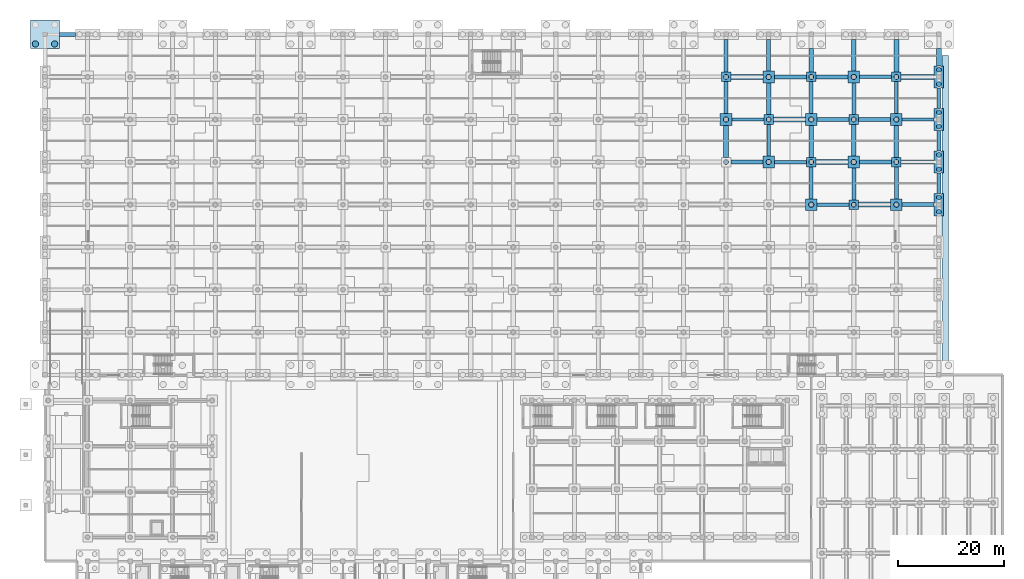
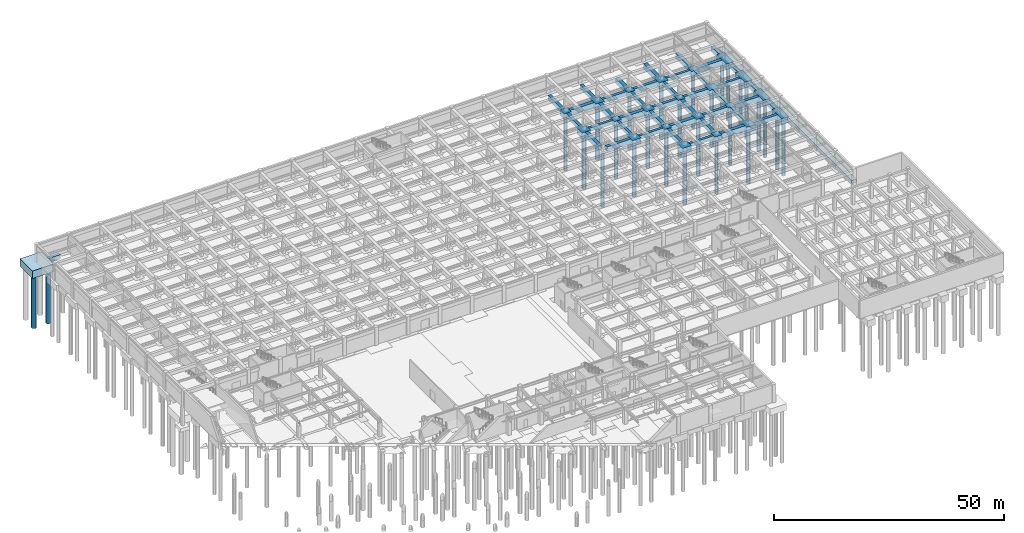
# One storey, part 15 of 48: 64 footings, 28 piles.
"""IFC4 building model written with IfcOpenShell, lengths in metres."""

from ifc_helpers import new_model, si_unit, direction, frame, origin, origin_2d, place, context, subcontext, project, spatial, polyline, rectangle, circle, outline, extrude, material, layer, layer_set, material_profile, profile_set, type_object, element, save


model = new_model("IFC4")

# Units and contexts
model_context = context("Model", 3, precision=1e-05, world=origin(), true_north=direction((0.0, 1.0)))
body_context = subcontext(model_context, "Body", "Model", "MODEL_VIEW")
ifc_project = project(units=[si_unit("LENGTHUNIT", "METRE"), si_unit("AREAUNIT", "SQUARE_METRE"), si_unit("VOLUMEUNIT", "CUBIC_METRE"), si_unit("PLANEANGLEUNIT", "RADIAN"), si_unit("MASSUNIT", "GRAM", prefix="KILO")], contexts=[model_context])

# Site, building, storey
site_placement = place(None, origin())
site = spatial("IfcSite", under=ifc_project, at=site_placement, CompositionType="ELEMENT")
building_placement = place(site_placement, origin())
building = spatial("IfcBuilding", under=site, at=building_placement, Name="Tlacozan Convention Centre", CompositionType="ELEMENT")
storey_placement = place(building_placement, frame((0.0, 0.0, -4.800048828125)))
storey = spatial("IfcBuildingStorey", under=building, at=storey_placement, Name="B01", CompositionType="ELEMENT", Elevation=-4.800048828125)

# Footings
ifc_material = material(Name="Concrete C35/45", Category="concrete")
ifc_layer_1 = layer(ifc_material, 1.0)
ifc_layer_set_1 = layer_set([ifc_layer_1], Name="Concrete C35/45")
footing_type_1 = type_object("IfcFootingType", Name="Foundation Tie Beam 650x1000", PredefinedType="FOOTING_BEAM", material=ifc_layer_set_1)
footing_1_placement = place(storey_placement, frame((0.0, 0.0, -1.0)))
element("IfcFooting", 1, at=footing_1_placement, inside=storey, type_object=footing_type_1, Name="Foundation Tie Beam X-229", PredefinedType="FOOTING_BEAM", context=body_context, shape_type="SweptSolid", body=[
    extrude(outline(polyline([(145.10009765625, 93.675048828125), (151.10009765625, 93.675048828125), (151.10009765625, 94.324951171875), (145.10009765625, 94.324951171875), (145.10009765625, 93.675048828125)])), origin(), (0.0, 0.0, 1.0), 1.0),
])
footing_2_placement = place(storey_placement, frame((0.0, 0.0, -1.0)))
element("IfcFooting", 2, at=footing_2_placement, inside=storey, type_object=footing_type_1, Name="Foundation Tie Beam X-249", PredefinedType="FOOTING_BEAM", context=body_context, shape_type="SweptSolid", body=[
    extrude(outline(polyline([(137.10009765625, 101.675048828125), (143.10009765625, 101.675048828125), (143.10009765625, 102.324951171875), (137.10009765625, 102.324951171875), (137.10009765625, 101.675048828125)])), origin(), (0.0, 0.0, 1.0), 1.0),
])
footing_3_placement = place(storey_placement, frame((0.0, 0.0, -1.0)))
element("IfcFooting", 3, at=footing_3_placement, inside=storey, type_object=footing_type_1, Name="Foundation Tie Beam X-269", PredefinedType="FOOTING_BEAM", context=body_context, shape_type="SweptSolid", body=[
    extrude(outline(polyline([(129.10009765625, 109.675048828125), (135.10009765625, 109.675048828125), (135.10009765625, 110.324951171875), (129.10009765625, 110.324951171875), (129.10009765625, 109.675048828125)])), origin(), (0.0, 0.0, 1.0), 1.0),
])
footing_4_placement = place(storey_placement, frame((0.0, 0.0, -1.0)))
element("IfcFooting", 4, at=footing_4_placement, inside=storey, type_object=footing_type_1, Name="Foundation Tie Beam X-273", PredefinedType="FOOTING_BEAM", context=body_context, shape_type="SweptSolid", body=[
    extrude(outline(polyline([(161.10009765625, 109.675048828125), (167.10009765625, 109.675048828125), (167.10009765625, 110.324951171875), (161.10009765625, 110.324951171875), (161.10009765625, 109.675048828125)])), origin(), (0.0, 0.0, 1.0), 1.0),
])
footing_5_placement = place(storey_placement, frame((0.0, 0.0, -1.0)))
element("IfcFooting", 5, at=footing_5_placement, inside=storey, type_object=footing_type_1, Name="Foundation Tie Beam X-293", PredefinedType="FOOTING_BEAM", context=body_context, shape_type="SweptSolid", body=[
    extrude(outline(polyline([(153.10009765625, 117.675048828125), (159.10009765625, 117.675048828125), (159.10009765625, 118.324951171875), (153.10009765625, 118.324951171875), (153.10009765625, 117.675048828125)])), origin(), (0.0, 0.0, 1.0), 1.0),
])
footing_6_placement = place(storey_placement, frame((0.0, 0.0, -1.0)))
element("IfcFooting", 6, at=footing_6_placement, inside=storey, type_object=footing_type_1, Name="Foundation Tie Beam Y-533", PredefinedType="FOOTING_BEAM", context=body_context, shape_type="SweptSolid", body=[
    extrude(outline(polyline([(135.675048828125, 103.10009765625), (136.324951171875, 103.10009765625), (136.324951171875, 109.10009765625), (135.675048828125, 109.10009765625), (135.675048828125, 103.10009765625)])), origin(), (0.0, 0.0, 1.0), 1.0),
])
footing_7_placement = place(storey_placement, frame((0.0, 0.0, -1.0)))
element("IfcFooting", 7, at=footing_7_placement, inside=storey, type_object=footing_type_1, Name="Foundation Tie Beam Y-545", PredefinedType="FOOTING_BEAM", context=body_context, shape_type="SweptSolid", body=[
    extrude(outline(polyline([(143.675048828125, 111.10009765625), (144.324951171875, 111.10009765625), (144.324951171875, 117.10009765625), (143.675048828125, 117.10009765625), (143.675048828125, 111.10009765625)])), origin(), (0.0, 0.0, 1.0), 1.0),
])
footing_8_placement = place(storey_placement, frame((0.0, 0.0, -1.0)))
element("IfcFooting", 8, at=footing_8_placement, inside=storey, type_object=footing_type_1, Name="Foundation Tie Beam Y-561", PredefinedType="FOOTING_BEAM", context=body_context, shape_type="SweptSolid", body=[
    extrude(outline(polyline([(151.675048828125, 110.89990234375), (152.324951171875, 110.89990234375), (152.324951171875, 116.89990234375), (151.675048828125, 116.89990234375), (151.675048828125, 110.89990234375)])), origin(), (0.0, 0.0, 1.0), 1.0),
])
footing_9_placement = place(storey_placement, frame((0.0, 0.0, -1.0)))
element("IfcFooting", 9, at=footing_9_placement, inside=storey, type_object=footing_type_1, Name="Foundation Tie Beam Y-577", PredefinedType="FOOTING_BEAM", context=body_context, shape_type="SweptSolid", body=[
    extrude(outline(polyline([(159.675048828125, 111.10009765625), (160.324951171875, 111.10009765625), (160.324951171875, 117.10009765625), (159.675048828125, 117.10009765625), (159.675048828125, 111.10009765625)])), origin(), (0.0, 0.0, 1.0), 1.0),
])
footing_10_placement = place(storey_placement, frame((0.0, 0.0, -1.0)))
element("IfcFooting", 10, at=footing_10_placement, inside=storey, type_object=footing_type_1, Name="Foundation Tie Beam Y-589", PredefinedType="FOOTING_BEAM", context=body_context, shape_type="SweptSolid", body=[
    extrude(outline(polyline([(167.675048828125, 112.10009765625), (168.324951171875, 112.10009765625), (168.324951171875, 115.89990234375), (167.675048828125, 115.89990234375), (167.675048828125, 112.10009765625)])), origin(), (0.0, 0.0, 1.0), 1.0),
])
ifc_layer_2 = layer(ifc_material, 1.10009765625)
ifc_layer_set_2 = layer_set([ifc_layer_2], Name="Concrete C35/45")
footing_type_2 = type_object("IfcFootingType", Name="Foundation Tie Beam 750x1100", PredefinedType="FOOTING_BEAM", material=ifc_layer_set_2)
footing_11_placement = place(storey_placement, frame((0.0, 0.0, -1.099853515625)))
element("IfcFooting", 11, at=footing_11_placement, inside=storey, type_object=footing_type_2, Name="Foundation Tie Beam X-231", PredefinedType="FOOTING_BEAM", context=body_context, shape_type="SweptSolid", body=[
    extrude(outline(polyline([(161.10009765625, 93.625), (167.10009765625, 93.625), (167.10009765625, 94.375), (161.10009765625, 94.375), (161.10009765625, 93.625)])), origin(), (0.0, 0.0, 1.0), 1.099853515625),
])
footing_12_placement = place(storey_placement, frame((0.0, 0.0, -1.099853515625)))
element("IfcFooting", 12, at=footing_12_placement, inside=storey, type_object=footing_type_2, Name="Foundation Tie Beam X-251", PredefinedType="FOOTING_BEAM", context=body_context, shape_type="SweptSolid", body=[
    extrude(outline(polyline([(153.10009765625, 101.625), (159.10009765625, 101.625), (159.10009765625, 102.375), (153.10009765625, 102.375), (153.10009765625, 101.625)])), origin(), (0.0, 0.0, 1.0), 1.099853515625),
])
footing_13_placement = place(storey_placement, frame((0.0, 0.0, -1.099853515625)))
element("IfcFooting", 13, at=footing_13_placement, inside=storey, type_object=footing_type_2, Name="Foundation Tie Beam X-271", PredefinedType="FOOTING_BEAM", context=body_context, shape_type="SweptSolid", body=[
    extrude(outline(polyline([(145.10009765625, 109.625), (151.10009765625, 109.625), (151.10009765625, 110.375), (145.10009765625, 110.375), (145.10009765625, 109.625)])), origin(), (0.0, 0.0, 1.0), 1.099853515625),
])
footing_14_placement = place(storey_placement, frame((0.0, 0.0, -1.099853515625)))
element("IfcFooting", 14, at=footing_14_placement, inside=storey, type_object=footing_type_2, Name="Foundation Tie Beam X-291", PredefinedType="FOOTING_BEAM", context=body_context, shape_type="SweptSolid", body=[
    extrude(outline(polyline([(137.10009765625, 117.625), (143.10009765625, 117.625), (143.10009765625, 118.375), (137.10009765625, 118.375), (137.10009765625, 117.625)])), origin(), (0.0, 0.0, 1.0), 1.099853515625),
])
footing_15_placement = place(storey_placement, frame((0.0, 0.0, -1.099853515625)))
element("IfcFooting", 15, at=footing_15_placement, inside=storey, type_object=footing_type_2, Name="Foundation Tie Beam X-295", PredefinedType="FOOTING_BEAM", context=body_context, shape_type="SweptSolid", body=[
    extrude(outline(polyline([(2.699951171875, 125.625), (5.699951171875, 125.625), (5.699951171875, 126.375), (2.699951171875, 126.375), (2.699951171875, 125.625)])), origin(), (0.0, 0.0, 1.0), 1.099853515625),
])
footing_16_placement = place(storey_placement, frame((0.0, 0.0, -1.099853515625)))
element("IfcFooting", 16, at=footing_16_placement, inside=storey, type_object=footing_type_2, Name="Foundation Tie Beam Y-523", PredefinedType="FOOTING_BEAM", context=body_context, shape_type="SweptSolid", body=[
    extrude(outline(polyline([(127.625, 111.10009765625), (128.375, 111.10009765625), (128.375, 117.10009765625), (127.625, 117.10009765625), (127.625, 111.10009765625)])), origin(), (0.0, 0.0, 1.0), 1.099853515625),
])
footing_17_placement = place(storey_placement, frame((0.0, 0.0, -1.099853515625)))
element("IfcFooting", 17, at=footing_17_placement, inside=storey, type_object=footing_type_2, Name="Foundation Tie Beam Y-535", PredefinedType="FOOTING_BEAM", context=body_context, shape_type="SweptSolid", body=[
    extrude(outline(polyline([(135.625, 119.10009765625), (136.375, 119.10009765625), (136.375, 125.0), (135.625, 125.0), (135.625, 119.10009765625)])), origin(), (0.0, 0.0, 1.0), 1.099853515625),
])
footing_18_placement = place(storey_placement, frame((0.0, 0.0, -1.099853515625)))
element("IfcFooting", 18, at=footing_18_placement, inside=storey, type_object=footing_type_2, Name="Foundation Tie Beam Y-543", PredefinedType="FOOTING_BEAM", context=body_context, shape_type="SweptSolid", body=[
    extrude(outline(polyline([(143.625, 95.10009765625), (144.375, 95.10009765625), (144.375, 101.10009765625), (143.625, 101.10009765625), (143.625, 95.10009765625)])), origin(), (0.0, 0.0, 1.0), 1.099853515625),
])
footing_19_placement = place(storey_placement, frame((0.0, 0.0, -1.099853515625)))
element("IfcFooting", 19, at=footing_19_placement, inside=storey, type_object=footing_type_2, Name="Foundation Tie Beam Y-559", PredefinedType="FOOTING_BEAM", context=body_context, shape_type="SweptSolid", body=[
    extrude(outline(polyline([(151.625, 94.89990234375), (152.375, 94.89990234375), (152.375, 100.89990234375), (151.625, 100.89990234375), (151.625, 94.89990234375)])), origin(), (0.0, 0.0, 1.0), 1.099853515625),
])
footing_20_placement = place(storey_placement, frame((0.0, 0.0, -1.099853515625)))
element("IfcFooting", 20, at=footing_20_placement, inside=storey, type_object=footing_type_2, Name="Foundation Tie Beam Y-575", PredefinedType="FOOTING_BEAM", context=body_context, shape_type="SweptSolid", body=[
    extrude(outline(polyline([(159.625, 95.10009765625), (160.375, 95.10009765625), (160.375, 101.10009765625), (159.625, 101.10009765625), (159.625, 95.10009765625)])), origin(), (0.0, 0.0, 1.0), 1.099853515625),
])
footing_21_placement = place(storey_placement, frame((0.0, 0.0, -1.099853515625)))
element("IfcFooting", 21, at=footing_21_placement, inside=storey, type_object=footing_type_2, Name="Foundation Tie Beam Y-587", PredefinedType="FOOTING_BEAM", context=body_context, shape_type="SweptSolid", body=[
    extrude(outline(polyline([(167.625, 96.10009765625), (168.375, 96.10009765625), (168.375, 99.89990234375), (167.625, 99.89990234375), (167.625, 96.10009765625)])), origin(), (0.0, 0.0, 1.0), 1.099853515625),
])
ifc_layer_3 = layer(ifc_material, 1.199951171875)
ifc_layer_set_3 = layer_set([ifc_layer_3], Name="Concrete C35/45")
footing_type_3 = type_object("IfcFootingType", Name="Foundation Tie Beam 800x1200", PredefinedType="FOOTING_BEAM", material=ifc_layer_set_3)
footing_22_placement = place(storey_placement, frame((0.0, 0.0, -1.199951171875)))
element("IfcFooting", 22, at=footing_22_placement, inside=storey, type_object=footing_type_3, Name="Foundation Tie Beam X-248", PredefinedType="FOOTING_BEAM", context=body_context, shape_type="SweptSolid", body=[
    extrude(outline(polyline([(128.89990234375, 101.60009765625), (134.89990234375, 101.60009765625), (134.89990234375, 102.39990234375), (128.89990234375, 102.39990234375), (128.89990234375, 101.60009765625)])), origin(), (0.0, 0.0, 1.0), 1.199951171875),
])
footing_23_placement = place(storey_placement, frame((0.0, 0.0, -1.199951171875)))
element("IfcFooting", 23, at=footing_23_placement, inside=storey, type_object=footing_type_3, Name="Foundation Tie Beam X-252", PredefinedType="FOOTING_BEAM", context=body_context, shape_type="SweptSolid", body=[
    extrude(outline(polyline([(160.89990234375, 101.60009765625), (167.10009765625, 101.60009765625), (167.10009765625, 102.39990234375), (160.89990234375, 102.39990234375), (160.89990234375, 101.60009765625)])), origin(), (0.0, 0.0, 1.0), 1.199951171875),
])
footing_24_placement = place(storey_placement, frame((0.0, 0.0, -1.199951171875)))
element("IfcFooting", 24, at=footing_24_placement, inside=storey, type_object=footing_type_3, Name="Foundation Tie Beam X-272", PredefinedType="FOOTING_BEAM", context=body_context, shape_type="SweptSolid", body=[
    extrude(outline(polyline([(152.89990234375, 109.60009765625), (158.89990234375, 109.60009765625), (158.89990234375, 110.39990234375), (152.89990234375, 110.39990234375), (152.89990234375, 109.60009765625)])), origin(), (0.0, 0.0, 1.0), 1.199951171875),
])
footing_25_placement = place(storey_placement, frame((0.0, 0.0, -1.199951171875)))
element("IfcFooting", 25, at=footing_25_placement, inside=storey, type_object=footing_type_3, Name="Foundation Tie Beam X-292", PredefinedType="FOOTING_BEAM", context=body_context, shape_type="SweptSolid", body=[
    extrude(outline(polyline([(144.89990234375, 117.60009765625), (150.89990234375, 117.60009765625), (150.89990234375, 118.39990234375), (144.89990234375, 118.39990234375), (144.89990234375, 117.60009765625)])), origin(), (0.0, 0.0, 1.0), 1.199951171875),
])
footing_26_placement = place(storey_placement, frame((0.0, 0.0, -1.199951171875)))
element("IfcFooting", 26, at=footing_26_placement, inside=storey, type_object=footing_type_3, Name="Foundation Tie Beam Y-524", PredefinedType="FOOTING_BEAM", context=body_context, shape_type="SweptSolid", body=[
    extrude(outline(polyline([(127.60009765625, 118.89990234375), (128.39990234375, 118.89990234375), (128.39990234375, 125.0), (127.60009765625, 125.0), (127.60009765625, 118.89990234375)])), origin(), (0.0, 0.0, 1.0), 1.199951171875),
])
footing_27_placement = place(storey_placement, frame((0.0, 0.0, -1.199951171875)))
element("IfcFooting", 27, at=footing_27_placement, inside=storey, type_object=footing_type_3, Name="Foundation Tie Beam Y-544", PredefinedType="FOOTING_BEAM", context=body_context, shape_type="SweptSolid", body=[
    extrude(outline(polyline([(143.60009765625, 102.89990234375), (144.39990234375, 102.89990234375), (144.39990234375, 108.89990234375), (143.60009765625, 108.89990234375), (143.60009765625, 102.89990234375)])), origin(), (0.0, 0.0, 1.0), 1.199951171875),
])
footing_28_placement = place(storey_placement, frame((0.0, 0.0, -1.199951171875)))
element("IfcFooting", 28, at=footing_28_placement, inside=storey, type_object=footing_type_3, Name="Foundation Tie Beam Y-560", PredefinedType="FOOTING_BEAM", context=body_context, shape_type="SweptSolid", body=[
    extrude(outline(polyline([(151.60009765625, 103.10009765625), (152.39990234375, 103.10009765625), (152.39990234375, 109.10009765625), (151.60009765625, 109.10009765625), (151.60009765625, 103.10009765625)])), origin(), (0.0, 0.0, 1.0), 1.199951171875),
])
footing_29_placement = place(storey_placement, frame((0.0, 0.0, -1.199951171875)))
element("IfcFooting", 29, at=footing_29_placement, inside=storey, type_object=footing_type_3, Name="Foundation Tie Beam Y-576", PredefinedType="FOOTING_BEAM", context=body_context, shape_type="SweptSolid", body=[
    extrude(outline(polyline([(159.60009765625, 102.89990234375), (160.39990234375, 102.89990234375), (160.39990234375, 108.89990234375), (159.60009765625, 108.89990234375), (159.60009765625, 102.89990234375)])), origin(), (0.0, 0.0, 1.0), 1.199951171875),
])
footing_30_placement = place(storey_placement, frame((0.0, 0.0, -1.199951171875)))
element("IfcFooting", 30, at=footing_30_placement, inside=storey, type_object=footing_type_3, Name="Foundation Tie Beam Y-588", PredefinedType="FOOTING_BEAM", context=body_context, shape_type="SweptSolid", body=[
    extrude(outline(polyline([(167.60009765625, 104.10009765625), (168.39990234375, 104.10009765625), (168.39990234375, 107.89990234375), (167.60009765625, 107.89990234375), (167.60009765625, 104.10009765625)])), origin(), (0.0, 0.0, 1.0), 1.199951171875),
])
ifc_layer_4 = layer(ifc_material, 1.300048828125)
ifc_layer_set_4 = layer_set([ifc_layer_4], Name="Concrete C35/45")
footing_type_4 = type_object("IfcFootingType", Name="Foundation Tie Beam 900x1300", PredefinedType="FOOTING_BEAM", material=ifc_layer_set_4)
footing_31_placement = place(storey_placement, frame((0.0, 0.0, -1.300048828125)))
element("IfcFooting", 31, at=footing_31_placement, inside=storey, type_object=footing_type_4, Name="Foundation Tie Beam X-230", PredefinedType="FOOTING_BEAM", context=body_context, shape_type="SweptSolid", body=[
    extrude(outline(polyline([(152.89990234375, 93.550048828125), (158.89990234375, 93.550048828125), (158.89990234375, 94.449951171875), (152.89990234375, 94.449951171875), (152.89990234375, 93.550048828125)])), origin(), (0.0, 0.0, 1.0), 1.300048828125),
])
footing_32_placement = place(storey_placement, frame((0.0, 0.0, -1.300048828125)))
element("IfcFooting", 32, at=footing_32_placement, inside=storey, type_object=footing_type_4, Name="Foundation Tie Beam X-250", PredefinedType="FOOTING_BEAM", context=body_context, shape_type="SweptSolid", body=[
    extrude(outline(polyline([(144.89990234375, 101.550048828125), (150.89990234375, 101.550048828125), (150.89990234375, 102.449951171875), (144.89990234375, 102.449951171875), (144.89990234375, 101.550048828125)])), origin(), (0.0, 0.0, 1.0), 1.300048828125),
])
footing_33_placement = place(storey_placement, frame((0.0, 0.0, -1.300048828125)))
element("IfcFooting", 33, at=footing_33_placement, inside=storey, type_object=footing_type_4, Name="Foundation Tie Beam X-270", PredefinedType="FOOTING_BEAM", context=body_context, shape_type="SweptSolid", body=[
    extrude(outline(polyline([(136.89990234375, 109.550048828125), (142.89990234375, 109.550048828125), (142.89990234375, 110.449951171875), (136.89990234375, 110.449951171875), (136.89990234375, 109.550048828125)])), origin(), (0.0, 0.0, 1.0), 1.300048828125),
])
footing_34_placement = place(storey_placement, frame((0.0, 0.0, -1.300048828125)))
element("IfcFooting", 34, at=footing_34_placement, inside=storey, type_object=footing_type_4, Name="Foundation Tie Beam X-290", PredefinedType="FOOTING_BEAM", context=body_context, shape_type="SweptSolid", body=[
    extrude(outline(polyline([(128.89990234375, 117.550048828125), (134.89990234375, 117.550048828125), (134.89990234375, 118.449951171875), (128.89990234375, 118.449951171875), (128.89990234375, 117.550048828125)])), origin(), (0.0, 0.0, 1.0), 1.300048828125),
])
footing_35_placement = place(storey_placement, frame((0.0, 0.0, -1.300048828125)))
element("IfcFooting", 35, at=footing_35_placement, inside=storey, type_object=footing_type_4, Name="Foundation Tie Beam X-294", PredefinedType="FOOTING_BEAM", context=body_context, shape_type="SweptSolid", body=[
    extrude(outline(polyline([(160.89990234375, 117.550048828125), (167.10009765625, 117.550048828125), (167.10009765625, 118.449951171875), (160.89990234375, 118.449951171875), (160.89990234375, 117.550048828125)])), origin(), (0.0, 0.0, 1.0), 1.300048828125),
])
footing_36_placement = place(storey_placement, frame((0.0, 0.0, -1.300048828125)))
element("IfcFooting", 36, at=footing_36_placement, inside=storey, type_object=footing_type_4, Name="Foundation Tie Beam Y-522", PredefinedType="FOOTING_BEAM", context=body_context, shape_type="SweptSolid", body=[
    extrude(outline(polyline([(127.550048828125, 102.89990234375), (128.449951171875, 102.89990234375), (128.449951171875, 108.89990234375), (127.550048828125, 108.89990234375), (127.550048828125, 102.89990234375)])), origin(), (0.0, 0.0, 1.0), 1.300048828125),
])
footing_37_placement = place(storey_placement, frame((0.0, 0.0, -1.300048828125)))
element("IfcFooting", 37, at=footing_37_placement, inside=storey, type_object=footing_type_4, Name="Foundation Tie Beam Y-534", PredefinedType="FOOTING_BEAM", context=body_context, shape_type="SweptSolid", body=[
    extrude(outline(polyline([(135.550048828125, 110.89990234375), (136.449951171875, 110.89990234375), (136.449951171875, 116.89990234375), (135.550048828125, 116.89990234375), (135.550048828125, 110.89990234375)])), origin(), (0.0, 0.0, 1.0), 1.300048828125),
])
footing_38_placement = place(storey_placement, frame((0.0, 0.0, -1.300048828125)))
element("IfcFooting", 38, at=footing_38_placement, inside=storey, type_object=footing_type_4, Name="Foundation Tie Beam Y-546", PredefinedType="FOOTING_BEAM", context=body_context, shape_type="SweptSolid", body=[
    extrude(outline(polyline([(143.550048828125, 118.89990234375), (144.449951171875, 118.89990234375), (144.449951171875, 123.300048828125), (143.550048828125, 123.300048828125), (143.550048828125, 118.89990234375)])), origin(), (0.0, 0.0, 1.0), 1.300048828125),
])
footing_39_placement = place(storey_placement, frame((0.0, 0.0, -1.300048828125)))
element("IfcFooting", 39, at=footing_39_placement, inside=storey, type_object=footing_type_4, Name="Foundation Tie Beam Y-562", PredefinedType="FOOTING_BEAM", context=body_context, shape_type="SweptSolid", body=[
    extrude(outline(polyline([(151.550048828125, 119.10009765625), (152.449951171875, 119.10009765625), (152.449951171875, 125.0), (151.550048828125, 125.0), (151.550048828125, 119.10009765625)])), origin(), (0.0, 0.0, 1.0), 1.300048828125),
])
footing_40_placement = place(storey_placement, frame((0.0, 0.0, -1.300048828125)))
element("IfcFooting", 40, at=footing_40_placement, inside=storey, type_object=footing_type_4, Name="Foundation Tie Beam Y-578", PredefinedType="FOOTING_BEAM", context=body_context, shape_type="SweptSolid", body=[
    extrude(outline(polyline([(159.550048828125, 118.89990234375), (160.449951171875, 118.89990234375), (160.449951171875, 125.0), (159.550048828125, 125.0), (159.550048828125, 118.89990234375)])), origin(), (0.0, 0.0, 1.0), 1.300048828125),
])
footing_41_placement = place(storey_placement, frame((0.0, 0.0, -1.300048828125)))
element("IfcFooting", 41, at=footing_41_placement, inside=storey, type_object=footing_type_4, Name="Foundation Tie Beam Y-590", PredefinedType="FOOTING_BEAM", context=body_context, shape_type="SweptSolid", body=[
    extrude(outline(polyline([(167.550048828125, 120.10009765625), (168.449951171875, 120.10009765625), (168.449951171875, 123.300048828125), (167.550048828125, 123.300048828125), (167.550048828125, 120.10009765625)])), origin(), (0.0, 0.0, 1.0), 1.300048828125),
])
ifc_layer_5 = layer(ifc_material, 0.800048828125)
ifc_layer_set_5 = layer_set([ifc_layer_5], Name="Concrete C35/45")
footing_type_5 = type_object("IfcFootingType", Name="Perimeter Strip Footing 1200x800", PredefinedType="STRIP_FOOTING", material=ifc_layer_set_5)
footing_42_placement = place(storey_placement, frame((0.0, 0.0, -0.800048828125)))
element("IfcFooting", 42, at=footing_42_placement, inside=storey, type_object=footing_type_5, Name="Strip Footing SF-P2", PredefinedType="STRIP_FOOTING", context=body_context, shape_type="SweptSolid", body=[
    extrude(outline(polyline([(168.60009765625, 64.0), (169.800048828125, 64.0), (169.800048828125, 122.0), (168.60009765625, 122.0), (168.60009765625, 64.0)])), origin(), (0.0, 0.0, 1.0), 0.800048828125),
])
ifc_layer_6 = layer(ifc_material, 1.39990234375)
ifc_layer_set_6 = layer_set([ifc_layer_6], Name="Concrete C35/45")
footing_type_6 = type_object("IfcFootingType", Name="Pile Cap 1P 1800x1800x1400", PredefinedType="PILE_CAP", material=ifc_layer_set_6)
for number, where, z_axis, x_axis, name in (
    (43, (128.0, 118.0, -1.39990234375), (0.0, 0.0, 1.0), (1.0, 0.0, 0.0), "Pile Cap PC-01 (247)"),
    (44, (136.0, 110.0, -1.39990234375), (0.0, 0.0, 1.0), (1.0, 0.0, 0.0), "Pile Cap PC-01 (259)"),
    (45, (144.0, 102.0, -1.39990234375), (0.0, 0.0, 1.0), (1.0, 0.0, 0.0), "Pile Cap PC-01 (271)"),
    (46, (144.0, 118.0, -1.39990234375), (0.0, 0.0, 1.0), (1.0, 0.0, 0.0), "Pile Cap PC-01 (273)"),
    (47, (152.0, 94.0, -1.39990234375), (0.0, 0.0, 1.0), (1.0, 0.0, 0.0), "Pile Cap PC-01 (289)"),
    (48, (152.0, 110.0, -1.39990234375), (0.0, 0.0, 1.0), (1.0, 0.0, 0.0), "Pile Cap PC-01 (291)"),
    (49, (160.0, 102.0, -1.39990234375), (0.0, 0.0, 1.0), (1.0, 0.0, 0.0), "Pile Cap PC-01 (309)"),
    (50, (160.0, 118.0, -1.39990234375), (0.0, 0.0, 1.0), (1.0, 0.0, 0.0), "Pile Cap PC-01 (311)"),
):
    element("IfcFooting", number, at=place(storey_placement, frame(where, z_axis=z_axis, x_axis=x_axis)), inside=storey, type_object=footing_type_6, Name=name, PredefinedType="PILE_CAP", context=body_context, shape_type="SweptSolid", body=[
        extrude(rectangle(XDim=1.800048828125, YDim=1.800048828125, at=origin_2d()), origin(), (0.0, 0.0, 1.0), 1.39990234375),
    ])
ifc_layer_7 = layer(ifc_material, 1.550048828125)
ifc_layer_set_7 = layer_set([ifc_layer_7], Name="Concrete C35/45")
footing_type_7 = type_object("IfcFootingType", Name="Pile Cap 1P 2200x2200x1550", PredefinedType="PILE_CAP", material=ifc_layer_set_7)
for number, where, z_axis, x_axis, name in (
    (51, (128.0, 110.0, -1.5498046875), (0.0, 0.0, 1.0), (1.0, 0.0, 0.0), "Pile Cap PC-09 (246)"),
    (52, (136.0, 102.0, -1.5498046875), (0.0, 0.0, 1.0), (1.0, 0.0, 0.0), "Pile Cap PC-09 (258)"),
    (53, (136.0, 118.0, -1.5498046875), (0.0, 0.0, 1.0), (1.0, 0.0, 0.0), "Pile Cap PC-09 (260)"),
    (54, (144.0, 94.0, -1.5498046875), (0.0, 0.0, 1.0), (1.0, 0.0, 0.0), "Pile Cap PC-09 (270)"),
    (55, (144.0, 110.0, -1.5498046875), (0.0, 0.0, 1.0), (1.0, 0.0, 0.0), "Pile Cap PC-09 (272)"),
    (56, (152.0, 102.0, -1.5498046875), (0.0, 0.0, 1.0), (1.0, 0.0, 0.0), "Pile Cap PC-09 (290)"),
    (57, (152.0, 118.0, -1.5498046875), (0.0, 0.0, 1.0), (1.0, 0.0, 0.0), "Pile Cap PC-09 (292)"),
    (58, (160.0, 94.0, -1.5498046875), (0.0, 0.0, 1.0), (1.0, 0.0, 0.0), "Pile Cap PC-09 (308)"),
    (59, (160.0, 110.0, -1.5498046875), (0.0, 0.0, 1.0), (1.0, 0.0, 0.0), "Pile Cap PC-09 (310)"),
):
    element("IfcFooting", number, at=place(storey_placement, frame(where, z_axis=z_axis, x_axis=x_axis)), inside=storey, type_object=footing_type_7, Name=name, PredefinedType="PILE_CAP", context=body_context, shape_type="SweptSolid", body=[
        extrude(rectangle(XDim=2.199951171875, YDim=2.199951171875, at=origin_2d()), origin(), (0.0, 0.0, 1.0), 1.550048828125),
    ])
ifc_layer_8 = layer(ifc_material, 1.60009765625)
ifc_layer_set_8 = layer_set([ifc_layer_8], Name="Concrete C35/45")
footing_type_8 = type_object("IfcFootingType", Name="Pile Cap 2P 1800x4200x1600", PredefinedType="PILE_CAP", material=ifc_layer_set_8)
for number, where, z_axis, x_axis, name in (
    (60, (168.0, 94.0, -1.60009765625), (0.0, 0.0, 1.0), (1.0, 0.0, 0.0), "Pile Cap PC-04 (322)"),
    (61, (168.0, 102.0, -1.60009765625), (0.0, 0.0, 1.0), (1.0, 0.0, 0.0), "Pile Cap PC-04 (323)"),
    (62, (168.0, 110.0, -1.60009765625), (0.0, 0.0, 1.0), (1.0, 0.0, 0.0), "Pile Cap PC-04 (324)"),
    (63, (168.0, 118.0, -1.60009765625), (0.0, 0.0, 1.0), (1.0, 0.0, 0.0), "Pile Cap PC-04 (325)"),
):
    element("IfcFooting", number, at=place(storey_placement, frame(where, z_axis=z_axis, x_axis=x_axis)), inside=storey, type_object=footing_type_8, Name=name, PredefinedType="PILE_CAP", context=body_context, shape_type="SweptSolid", body=[
        extrude(rectangle(XDim=1.800048828125, YDim=4.199951171875, at=origin_2d()), origin(), (0.0, 0.0, 1.0), 1.60009765625),
    ])
ifc_layer_9 = layer(ifc_material, 2.0)
ifc_layer_set_9 = layer_set([ifc_layer_9], Name="Concrete C35/45")
footing_type_9 = type_object("IfcFootingType", Name="Pile Cap 4P 5400x5400x2000", PredefinedType="PILE_CAP", material=ifc_layer_set_9)
footing_43_placement = place(storey_placement, frame((0.0, 126.0, -2.0), z_axis=(0.0, 0.0, 1.0), x_axis=(1.0, 0.0, 0.0)))
element("IfcFooting", 64, at=footing_43_placement, inside=storey, type_object=footing_type_9, Name="Pile Cap PC-08 (9)", PredefinedType="PILE_CAP", context=body_context, shape_type="SweptSolid", body=[
    extrude(rectangle(XDim=5.39990234375, YDim=5.39990234375, at=origin_2d()), origin(), (0.0, 0.0, 1.0), 2.0),
])

# Piles
ifc_material_profile_1 = material_profile(ifc_material, circle(Radius=0.5, at=origin_2d()), Name="PILE D1000")
ifc_profile_set_1 = profile_set([ifc_material_profile_1], Name="Concrete C35/45")
pile_type_1 = type_object("IfcPileType", Name="Pile D1000 Bored", PredefinedType="BORED", material=ifc_profile_set_1)
for number, where, z_axis, x_axis, name in (
    (65, (128.0, 110.0, -1.429931640625), (0.0, 0.0, -1.0), (1.0, 0.0, 0.0), "Bored Pile 468"),
    (66, (136.0, 102.0, -1.429931640625), (0.0, 0.0, -1.0), (1.0, 0.0, 0.0), "Bored Pile 484"),
    (67, (136.0, 118.0, -1.429931640625), (0.0, 0.0, -1.0), (1.0, 0.0, 0.0), "Bored Pile 486"),
    (68, (144.0, 94.0, -1.429931640625), (0.0, 0.0, -1.0), (1.0, 0.0, 0.0), "Bored Pile 502"),
    (69, (144.0, 110.0, -1.429931640625), (0.0, 0.0, -1.0), (1.0, 0.0, 0.0), "Bored Pile 504"),
    (70, (152.0, 102.0, -1.429931640625), (0.0, 0.0, -1.0), (1.0, 0.0, 0.0), "Bored Pile 530"),
    (71, (152.0, 118.0, -1.429931640625), (0.0, 0.0, -1.0), (1.0, 0.0, 0.0), "Bored Pile 532"),
    (72, (160.0, 94.0, -1.429931640625), (0.0, 0.0, -1.0), (1.0, 0.0, 0.0), "Bored Pile 554"),
    (73, (160.0, 110.0, -1.429931640625), (0.0, 0.0, -1.0), (1.0, 0.0, 0.0), "Bored Pile 556"),
):
    element("IfcPile", number, at=place(storey_placement, frame(where, z_axis=z_axis, x_axis=x_axis)), inside=storey, type_object=pile_type_1, Name=name, PredefinedType="BORED", context=body_context, shape_type="SweptSolid", body=[
        extrude(circle(Radius=0.5, at=origin_2d()), origin(), (0.0, 0.0, 1.0), 14.27001953125),
    ])
ifc_material_profile_2 = material_profile(ifc_material, circle(Radius=0.60009765625, at=origin_2d()), Name="PILE D1200")
ifc_profile_set_2 = profile_set([ifc_material_profile_2], Name="Concrete C35/45")
pile_type_2 = type_object("IfcPileType", Name="Pile D1200 Bored", PredefinedType="BORED", material=ifc_profile_set_2)
for number, where, z_axis, x_axis, name in (
    (74, (-1.800048828125, 124.199951171875, -1.8798828125), (0.0, 0.0, -1.0), (1.0, 0.0, 0.0), "Bored Pile 19"),
    (75, (1.800048828125, 124.199951171875, -1.8798828125), (0.0, 0.0, -1.0), (1.0, 0.0, 0.0), "Bored Pile 20"),
):
    element("IfcPile", number, at=place(storey_placement, frame(where, z_axis=z_axis, x_axis=x_axis)), inside=storey, type_object=pile_type_2, Name=name, PredefinedType="BORED", context=body_context, shape_type="SweptSolid", body=[
        extrude(circle(Radius=0.60009765625, at=origin_2d()), origin(), (0.0, 0.0, 1.0), 13.820068359375),
    ])
ifc_material_profile_3 = material_profile(ifc_material, circle(Radius=0.449951171875, at=origin_2d()), Name="PILE D900")
ifc_profile_set_3 = profile_set([ifc_material_profile_3], Name="Concrete C35/45")
pile_type_3 = type_object("IfcPileType", Name="Pile D900 Bored", PredefinedType="BORED", material=ifc_profile_set_3)
for number, where, z_axis, x_axis, name in (
    (76, (128.0, 102.0, -1.280029296875), (0.0, 0.0, -1.0), (1.0, 0.0, 0.0), "Bored Pile 467"),
    (77, (128.0, 118.0, -1.280029296875), (0.0, 0.0, -1.0), (1.0, 0.0, 0.0), "Bored Pile 469"),
    (78, (136.0, 110.0, -1.280029296875), (0.0, 0.0, -1.0), (1.0, 0.0, 0.0), "Bored Pile 485"),
    (79, (144.0, 102.0, -1.280029296875), (0.0, 0.0, -1.0), (1.0, 0.0, 0.0), "Bored Pile 503"),
    (80, (144.0, 118.0, -1.280029296875), (0.0, 0.0, -1.0), (1.0, 0.0, 0.0), "Bored Pile 505"),
    (81, (152.0, 94.0, -1.280029296875), (0.0, 0.0, -1.0), (1.0, 0.0, 0.0), "Bored Pile 529"),
    (82, (152.0, 110.0, -1.280029296875), (0.0, 0.0, -1.0), (1.0, 0.0, 0.0), "Bored Pile 531"),
    (83, (160.0, 102.0, -1.280029296875), (0.0, 0.0, -1.0), (1.0, 0.0, 0.0), "Bored Pile 555"),
    (84, (160.0, 118.0, -1.280029296875), (0.0, 0.0, -1.0), (1.0, 0.0, 0.0), "Bored Pile 557"),
):
    element("IfcPile", number, at=place(storey_placement, frame(where, z_axis=z_axis, x_axis=x_axis)), inside=storey, type_object=pile_type_3, Name=name, PredefinedType="BORED", context=body_context, shape_type="SweptSolid", body=[
        extrude(circle(Radius=0.449951171875, at=origin_2d()), origin(), (0.0, 0.0, 1.0), 14.419921875),
    ])
for number, where, z_axis, x_axis, name in (
    (85, (168.0, 92.64990234375, -1.47998046875), (0.0, 0.0, -1.0), (1.0, 0.0, 0.0), "Bored Pile 577"),
    (86, (168.0, 95.35009765625, -1.47998046875), (0.0, 0.0, -1.0), (1.0, 0.0, 0.0), "Bored Pile 578"),
    (87, (168.0, 100.64990234375, -1.47998046875), (0.0, 0.0, -1.0), (1.0, 0.0, 0.0), "Bored Pile 579"),
    (88, (168.0, 103.35009765625, -1.47998046875), (0.0, 0.0, -1.0), (1.0, 0.0, 0.0), "Bored Pile 580"),
    (89, (168.0, 108.64990234375, -1.47998046875), (0.0, 0.0, -1.0), (1.0, 0.0, 0.0), "Bored Pile 581"),
    (90, (168.0, 111.35009765625, -1.47998046875), (0.0, 0.0, -1.0), (1.0, 0.0, 0.0), "Bored Pile 582"),
    (91, (168.0, 116.64990234375, -1.47998046875), (0.0, 0.0, -1.0), (1.0, 0.0, 0.0), "Bored Pile 583"),
    (92, (168.0, 119.35009765625, -1.47998046875), (0.0, 0.0, -1.0), (1.0, 0.0, 0.0), "Bored Pile 584"),
):
    element("IfcPile", number, at=place(storey_placement, frame(where, z_axis=z_axis, x_axis=x_axis)), inside=storey, type_object=pile_type_3, Name=name, PredefinedType="BORED", context=body_context, shape_type="SweptSolid", body=[
        extrude(circle(Radius=0.449951171875, at=origin_2d()), origin(), (0.0, 0.0, 1.0), 14.219970703125),
    ])

save(model, "model.ifc")
